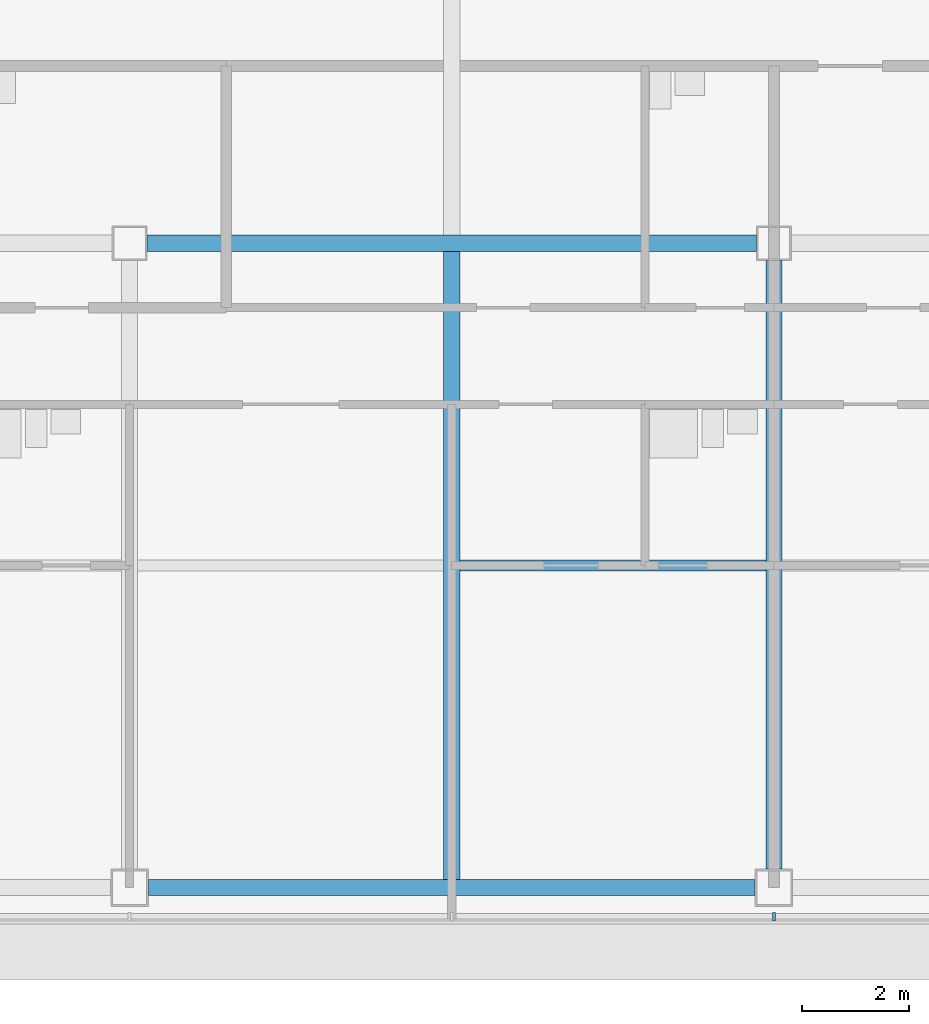
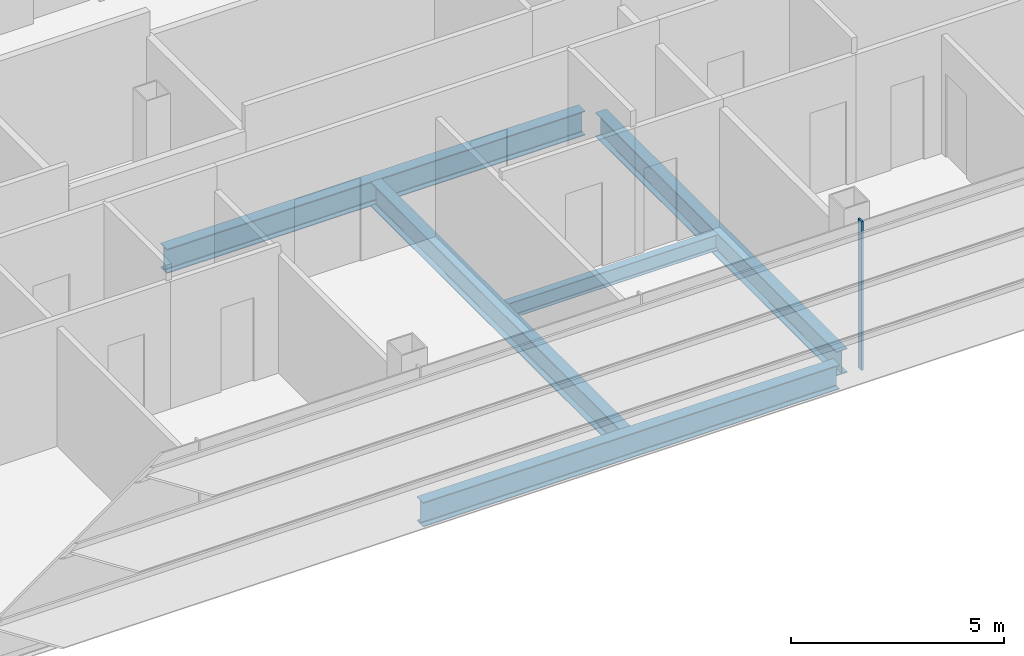
# One storey, part 3 of 26: 5 beams, 1 member, 1 element without a shape of its own.
"""IFC4 building model written with IfcOpenShell, lengths in metres."""

from ifc_helpers import new_model, si_unit, direction, frame, origin, origin_2d, place, context, subcontext, project, spatial, rectangle, i_section, extrude, material, material_profile, profile_set, type_object, element, aggregate, save


model = new_model("IFC4")

# Units and contexts
model_context = context("Model", 3, precision=1e-05, world=origin(), true_north=direction((0.0, 1.0)))
body_context = subcontext(model_context, "Body", "Model", "MODEL_VIEW")
ifc_project = project(units=[si_unit("LENGTHUNIT", "METRE"), si_unit("AREAUNIT", "SQUARE_METRE"), si_unit("VOLUMEUNIT", "CUBIC_METRE"), si_unit("PLANEANGLEUNIT", "RADIAN"), si_unit("MASSUNIT", "GRAM", prefix="KILO")], contexts=[model_context])

# Site, building, storey
site_placement = place(None, origin())
site = spatial("IfcSite", under=ifc_project, at=site_placement, CompositionType="ELEMENT")
building_placement = place(site_placement, origin())
building = spatial("IfcBuilding", under=site, at=building_placement, Name="Sorahane Residences", CompositionType="ELEMENT")
storey_placement = place(building_placement, frame((0.0, 0.0, 181.60009765625)))
storey = spatial("IfcBuildingStorey", under=building, at=storey_placement, Name="L42", CompositionType="ELEMENT", Elevation=181.60009765625)

# Curtain wall, member
ifc_material_1 = material(Name="Dark low-e glass and black anodised aluminium", Category="aluminium")
curtain_wall_type = type_object("IfcCurtainWallType", Name="Curtain wall CW-1 Typical unitised wall", PredefinedType="NOTDEFINED", material=ifc_material_1)
curtain_wall_placement = place(storey_placement, origin())
curtain_wall = element("IfcCurtainWall", 1, at=curtain_wall_placement, inside=storey, type_object=curtain_wall_type, Name="CW-1 curtain wall L42 S1", PredefinedType="NOTDEFINED")
ifc_material_2 = material(Name="Black anodised aluminium", Category="aluminium")
ifc_material_profile_1 = material_profile(ifc_material_2, rectangle(XDim=0.159912109375, YDim=0.050048828125, at=origin_2d()), Name="Curtain wall mullion CW-1 black anodised aluminium 50x160")
ifc_profile_set_1 = profile_set([ifc_material_profile_1], Name="Black anodised aluminium")
member_type = type_object("IfcMemberType", Name="Curtain wall mullion CW-1 black anodised aluminium 50x160", PredefinedType="MULLION", material=ifc_profile_set_1)
member_placement = place(storey_placement, frame((24.0, -0.5400390625, -0.18017578125), z_axis=(0.0, 0.0, 1.0), x_axis=(0.0, -1.0, 0.0)))
member = element("IfcMember", 2, at=member_placement, type_object=member_type, Name="CW-1 mullion L42 S1.5", PredefinedType="MULLION", context=body_context, shape_type="SweptSolid", body=[
    extrude(rectangle(XDim=0.159912109375, YDim=0.050048828125, at=origin_2d()), origin(), (0.0, 0.0, 1.0), 4.280029296875),
])
aggregate(curtain_wall, [member])

# Beams
ifc_material_3 = material(Name="Steel Q355B", Category="steel")
ifc_material_profile_2 = material_profile(ifc_material_3, i_section(OverallWidth=0.199951171875, OverallDepth=0.449951171875, WebThickness=0.009033203125, FlangeThickness=0.013916015625, FilletRadius=0.02001953125, at=origin_2d()), Name="HN 450x200x9x14")
ifc_profile_set_2 = profile_set([ifc_material_profile_2], Name="Steel Q355B")
beam_type_1 = type_object("IfcBeamType", Name="Steel floor beam HN 450x200x9x14 Q355B", PredefinedType="BEAM", material=ifc_profile_set_2)
beam_1_placement = place(storey_placement, frame((18.14990234375, 6.0, -0.405029296875), z_axis=(1.0, 0.0, 0.0), x_axis=(0.0, 1.0, 0.0)))
element("IfcBeam", 3, at=beam_1_placement, inside=storey, type_object=beam_type_1, Name="Beam L42 072", PredefinedType="BEAM", context=body_context, shape_type="SweptSolid", body=[
    extrude(i_section(OverallWidth=0.199951171875, OverallDepth=0.449951171875, WebThickness=0.009033203125, FlangeThickness=0.013916015625, FilletRadius=0.02001953125, at=origin_2d()), origin(), (0.0, 0.0, 1.0), 5.7001953125),
])
ifc_material_4 = material(Name="Steel Q355B", Category="steel")
ifc_material_profile_3 = material_profile(ifc_material_4, i_section(OverallWidth=0.300048828125, OverallDepth=0.699951171875, WebThickness=0.012939453125, FlangeThickness=0.02392578125, FilletRadius=0.028076171875, at=origin_2d()), Name="HN 700x300x13x24")
ifc_profile_set_3 = profile_set([ifc_material_profile_3], Name="Steel Q355B")
beam_type_2 = type_object("IfcBeamType", Name="Steel floor beam HN 700x300x13x24 Q355B", PredefinedType="BEAM", material=ifc_profile_set_3)
beam_2_placement = place(storey_placement, frame((12.35009765625, 0.0, -0.530029296875), z_axis=(1.0, 0.0, 0.0), x_axis=(0.0, 1.0, 0.0)))
element("IfcBeam", 4, at=beam_2_placement, inside=storey, type_object=beam_type_2, Name="Beam L42 001", PredefinedType="BEAM", context=body_context, shape_type="SweptSolid", body=[
    extrude(i_section(OverallWidth=0.300048828125, OverallDepth=0.699951171875, WebThickness=0.012939453125, FlangeThickness=0.02392578125, FilletRadius=0.028076171875, at=origin_2d()), origin(), (0.0, 0.0, 1.0), 11.2998046875),
])
beam_3_placement = place(storey_placement, frame((12.324951171875, 12.0, -0.530029296875), z_axis=(1.0, 0.0, 0.0), x_axis=(0.0, 1.0, 0.0)))
element("IfcBeam", 5, at=beam_3_placement, inside=storey, type_object=beam_type_2, Name="Beam L42 007", PredefinedType="BEAM", context=body_context, shape_type="SweptSolid", body=[
    extrude(i_section(OverallWidth=0.300048828125, OverallDepth=0.699951171875, WebThickness=0.012939453125, FlangeThickness=0.02392578125, FilletRadius=0.028076171875, at=origin_2d()), origin(), (0.0, 0.0, 1.0), 11.35009765625),
])
beam_4_placement = place(storey_placement, frame((18.0, 0.14990234375, -0.530029296875), z_axis=(0.0, 1.0, 0.0), x_axis=(-1.0, 0.0, 0.0)))
element("IfcBeam", 6, at=beam_4_placement, inside=storey, type_object=beam_type_2, Name="Beam L42 036", PredefinedType="BEAM", context=body_context, shape_type="SweptSolid", body=[
    extrude(i_section(OverallWidth=0.300048828125, OverallDepth=0.699951171875, WebThickness=0.012939453125, FlangeThickness=0.02392578125, FilletRadius=0.028076171875, at=origin_2d()), origin(), (0.0, 0.0, 1.0), 11.7001953125),
])
beam_5_placement = place(storey_placement, frame((24.0, 0.35009765625, -0.530029296875), z_axis=(0.0, 1.0, 0.0), x_axis=(-1.0, 0.0, 0.0)))
element("IfcBeam", 7, at=beam_5_placement, inside=storey, type_object=beam_type_2, Name="Beam L42 042", PredefinedType="BEAM", context=body_context, shape_type="SweptSolid", body=[
    extrude(i_section(OverallWidth=0.300048828125, OverallDepth=0.699951171875, WebThickness=0.012939453125, FlangeThickness=0.02392578125, FilletRadius=0.028076171875, at=origin_2d()), origin(), (0.0, 0.0, 1.0), 11.324951171875),
])

save(model, "model.ifc")
